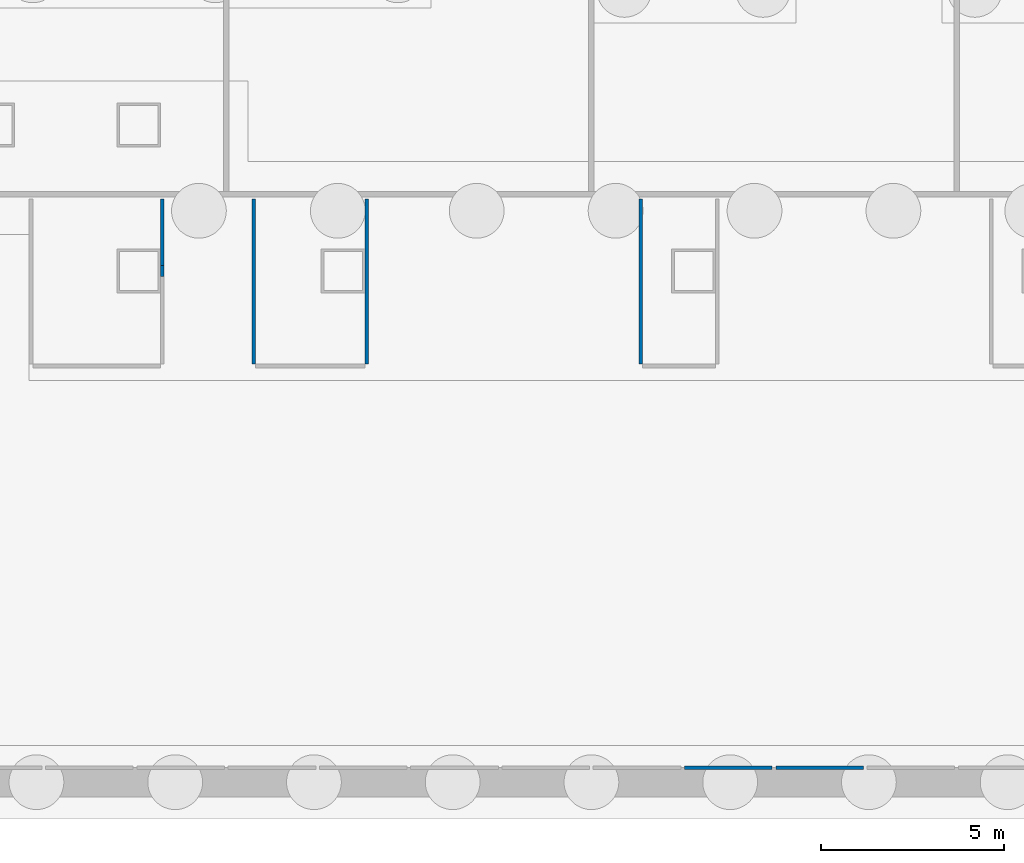
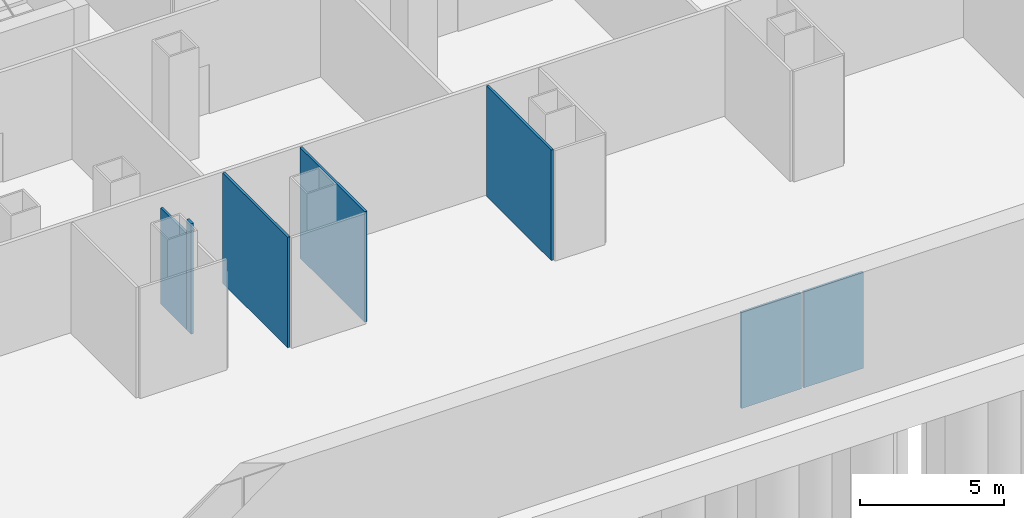
# One storey, part 5 of 17: 7 walls.
"""IFC4 building model written with IfcOpenShell, lengths in metres."""

from ifc_helpers import new_model, si_unit, direction, frame, frame_2d, origin, place, context, subcontext, project, spatial, rectangle, extrude, material, layer, layer_set, type_object, element, save


model = new_model("IFC4")

# Units and contexts
model_context = context("Model", 3, precision=1e-05, world=origin(), true_north=direction((0.0, 1.0)))
body_context = subcontext(model_context, "Body", "Model", "MODEL_VIEW")
ifc_project = project(units=[si_unit("LENGTHUNIT", "METRE"), si_unit("AREAUNIT", "SQUARE_METRE"), si_unit("VOLUMEUNIT", "CUBIC_METRE"), si_unit("PLANEANGLEUNIT", "RADIAN"), si_unit("MASSUNIT", "GRAM", prefix="KILO")], contexts=[model_context])

# Site, building, storey
site_placement = place(None, origin())
site = spatial("IfcSite", under=ifc_project, at=site_placement, CompositionType="ELEMENT")
building_placement = place(site_placement, origin())
building = spatial("IfcBuilding", under=site, at=building_placement, Name="Cobrizo Arcos Hotel Tower", CompositionType="ELEMENT")
storey_placement = place(building_placement, frame((0.0, 0.0, -10.0)))
storey = spatial("IfcBuildingStorey", under=building, at=storey_placement, Name="B2", CompositionType="ELEMENT", Elevation=-10.0)

# Walls
ifc_material = material(Name="Gypsum board partition")
ifc_layer = layer(ifc_material, 0.10009765625)
ifc_layer_set = layer_set([ifc_layer], Name="Partition EI 30 100")
wall_type = type_object("IfcWallType", Name="Partition EI 30 100", PredefinedType="PARTITIONING", material=ifc_layer_set)
for number, where, z_axis, x_axis, name in (
    (1, (-5.050048828125, -37.60009765625, 0.0), (0.0, 0.0, 1.0), (1.0, 0.0, 0.0), "Partition 014"),
    (2, (-2.550048828125, -37.60009765625, 0.0), (0.0, 0.0, 1.0), (1.0, 0.0, 0.0), "Partition 015"),
):
    element("IfcWall", number, at=place(storey_placement, frame(where, z_axis=z_axis, x_axis=x_axis)), inside=storey, type_object=wall_type, Name=name, PredefinedType="PARTITIONING", context=body_context, shape_type="SweptSolid", body=[
        extrude(rectangle(XDim=2.400146484375, YDim=0.10009765625, at=frame_2d((1.2001953125, 0.0))), origin(), (0.0, 0.0, 1.0), 4.077880859375),
    ])
wall_1_placement = place(storey_placement, frame((-19.35009765625, -24.154052734375, 0.0), z_axis=(0.0, 0.0, 1.0), x_axis=(0.0, 1.0, 0.0)))
element("IfcWall", 3, at=wall_1_placement, inside=storey, type_object=wall_type, Name="Partition 165", PredefinedType="PARTITIONING", context=body_context, shape_type="SweptSolid", body=[
    extrude(rectangle(XDim=0.30810546875, YDim=0.10009765625, at=frame_2d((0.154052734375, 0.0))), origin(), (0.0, 0.0, 1.0), 4.699951171875),
])
wall_2_placement = place(storey_placement, frame((-19.35009765625, -23.845947265625, 0.0), z_axis=(0.0, 0.0, 1.0), x_axis=(0.0, 1.0, 0.0)))
element("IfcWall", 4, at=wall_2_placement, inside=storey, type_object=wall_type, Name="Partition 166", PredefinedType="PARTITIONING", context=body_context, shape_type="SweptSolid", body=[
    extrude(rectangle(XDim=1.821044921875, YDim=0.10009765625, at=frame_2d((0.91064453125, 0.0))), origin(), (0.0, 0.0, 1.0), 4.0830078125),
])
for number, where, z_axis, x_axis, name in (
    (5, (-16.85009765625, -26.550048828125, 0.0), (0.0, 0.0, 1.0), (0.0, 1.0, 0.0), "Partition 171"),
    (6, (-13.75, -26.550048828125, 0.0), (0.0, 0.0, 1.0), (0.0, 1.0, 0.0), "Partition 174"),
    (7, (-6.25, -26.550048828125, 0.0), (0.0, 0.0, 1.0), (0.0, 1.0, 0.0), "Partition 182"),
):
    element("IfcWall", number, at=place(storey_placement, frame(where, z_axis=z_axis, x_axis=x_axis)), inside=storey, type_object=wall_type, Name=name, PredefinedType="PARTITIONING", context=body_context, shape_type="SweptSolid", body=[
        extrude(rectangle(XDim=4.525146484375, YDim=0.10009765625, at=frame_2d((2.2626953125, 0.0))), origin(), (0.0, 0.0, 1.0), 4.699951171875),
    ])

save(model, "model.ifc")
